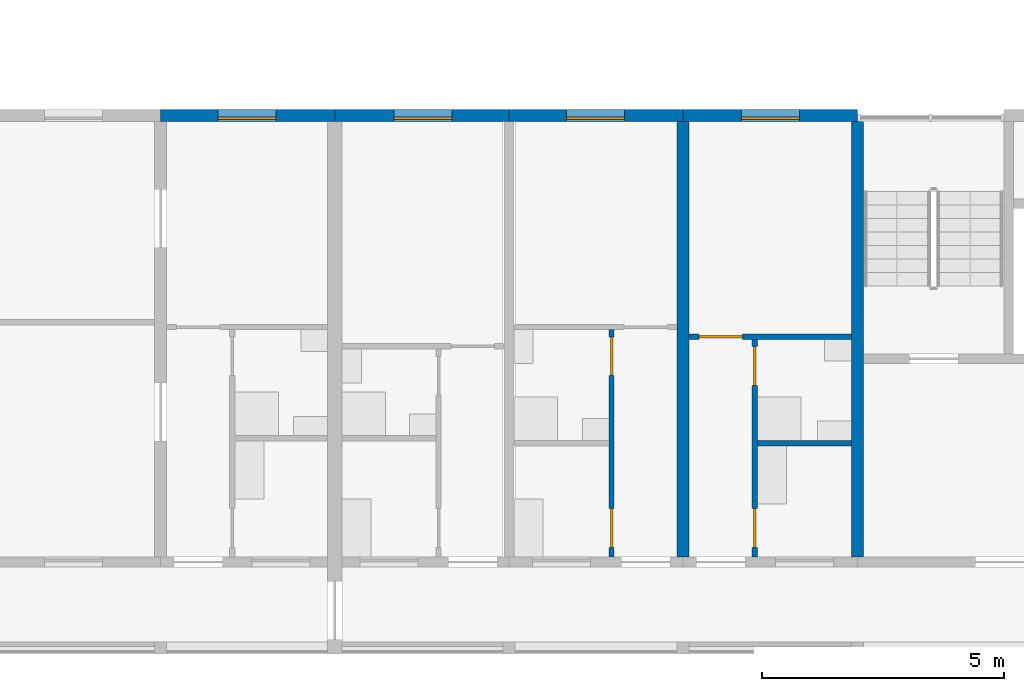
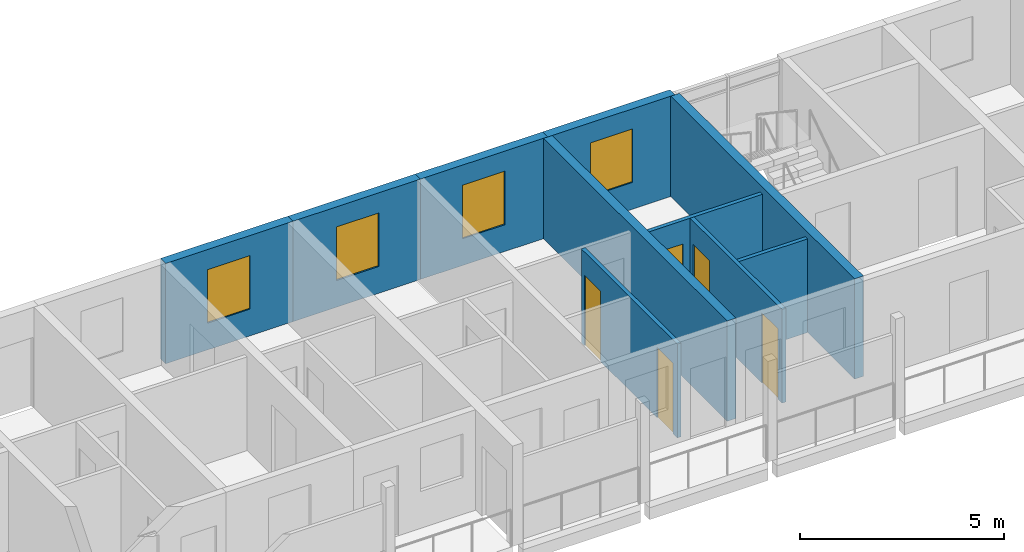
# One storey, part 34 of 100: 10 walls, 5 doors, 4 windows, 9 openings.
"""IFC4 building model written with IfcOpenShell, lengths in metres."""

from ifc_helpers import new_model, si_unit, direction, frame, frame_2d, origin, place, context, subcontext, project, spatial, rectangle, extrude, material, layer, layer_set, type_object, element, fill, save


model = new_model("IFC4")

# Units and contexts
model_context = context("Model", 3, precision=1e-05, world=origin(), true_north=direction((0.0, 1.0)))
body_context = subcontext(model_context, "Body", "Model", "MODEL_VIEW")
ifc_project = project(units=[si_unit("LENGTHUNIT", "METRE"), si_unit("AREAUNIT", "SQUARE_METRE"), si_unit("VOLUMEUNIT", "CUBIC_METRE"), si_unit("PLANEANGLEUNIT", "RADIAN"), si_unit("MASSUNIT", "GRAM", prefix="KILO")], contexts=[model_context])

# Site, building, storey
site_placement = place(None, origin())
site = spatial("IfcSite", under=ifc_project, at=site_placement, CompositionType="ELEMENT")
building_placement = place(site_placement, origin())
building = spatial("IfcBuilding", under=site, at=building_placement, Name="Ridgestep Commons", CompositionType="ELEMENT")
storey_placement = place(building_placement, frame((0.0, 0.0, 9.0)))
storey = spatial("IfcBuildingStorey", under=building, at=storey_placement, Name="L03", CompositionType="ELEMENT", Elevation=9.0)

# Walls
ifc_material_1 = material(Name="Concrete C30/37", Category="concrete")
ifc_layer_1 = layer(ifc_material_1, 0.25)
ifc_layer_set_1 = layer_set([ifc_layer_1], Name="Core cross wall 250")
wall_type_1 = type_object("IfcWallType", Name="Core cross wall 250", PredefinedType="SHEAR", material=ifc_layer_set_1)
wall_1_placement = place(storey_placement, frame((73.199951171875, 13.75, 0.0), z_axis=(0.0, 0.0, 1.0), x_axis=(0.0, 1.0, 0.0)))
element("IfcWall", 1, at=wall_1_placement, inside=storey, type_object=wall_type_1, Name="Cross wall A-03-0732", PredefinedType="SHEAR", context=body_context, shape_type="SweptSolid", body=[
    extrude(rectangle(XDim=9.0, YDim=0.25, at=frame_2d((4.5, 0.0))), origin(), (0.0, 0.0, 1.0), 3.0),
])
ifc_material_2 = material(Name="Precast concrete C40/50", Category="concrete")
ifc_layer_2 = layer(ifc_material_2, 0.25)
ifc_layer_set_2 = layer_set([ifc_layer_2], Name="Cross wall 250")
wall_type_2 = type_object("IfcWallType", Name="Cross wall 250", PredefinedType="SHEAR", material=ifc_layer_set_2)
wall_2_placement = place(storey_placement, frame((69.60009765625, 13.75, 0.0), z_axis=(0.0, 0.0, 1.0), x_axis=(0.0, 1.0, 0.0)))
element("IfcWall", 2, at=wall_2_placement, inside=storey, type_object=wall_type_2, Name="Cross wall A-03-0696", PredefinedType="SHEAR", context=body_context, shape_type="SweptSolid", body=[
    extrude(rectangle(XDim=9.0, YDim=0.25, at=frame_2d((4.5, 0.0))), origin(), (0.0, 0.0, 1.0), 3.0),
])

# Wall, opening, window
ifc_material_3 = material(Name="Precast concrete C40/50", Category="concrete")
ifc_layer_3 = layer(ifc_material_3, 0.25)
ifc_layer_set_3 = layer_set([ifc_layer_3], Name="North facade panel 250")
wall_type_3 = type_object("IfcWallType", Name="North facade panel 250", PredefinedType="SOLIDWALL", material=ifc_layer_set_3)
wall_3_placement = place(storey_placement, frame((58.800048828125, 22.875, 0.0), z_axis=(0.0, 0.0, 1.0), x_axis=(1.0, 0.0, 0.0)))
wall_3 = element("IfcWall", 3, at=wall_3_placement, inside=storey, type_object=wall_type_3, Name="North panel A3T1 L03", PredefinedType="SOLIDWALL", context=body_context, shape_type="SweptSolid", body=[
    extrude(rectangle(XDim=3.599853515625, YDim=0.25, at=frame_2d((1.7998046875, 0.0))), origin(), (0.0, 0.0, 1.0), 3.0),
])
opening_1_placement = place(wall_3_placement, frame((1.1875, 0.0, 0.800048828125)))
opening_1 = element("IfcOpeningElement", 4, at=opening_1_placement, cuts=wall_3, Name="Opening W11", PredefinedType="OPENING", context=body_context, shape_type="SweptSolid", body=[
    extrude(rectangle(XDim=1.199951171875, YDim=1.60009765625, at=frame_2d((0.60009765625, 0.800048828125))), frame((0.0, 0.135009765625, 0.0), z_axis=(0.0, -1.0, 0.0), x_axis=(1.0, 0.0, 0.0)), (0.0, 0.0, 1.0), 0.27001953125),
])
ifc_material_4 = material(Name="Aluminium 6063-T6 and glass", Category="aluminium")
window_type = type_object("IfcWindowType", Name="Flat window 1200 x 1600", PartitioningType="SINGLE_PANEL", PredefinedType="WINDOW", material=ifc_material_4)
window_1_placement = place(opening_1_placement, origin())
window_1 = element("IfcWindow", 5, at=window_1_placement, inside=storey, type_object=window_type, Name="Window A3-03a 4", OverallHeight=1.60009765625, OverallWidth=1.199951171875, PartitioningType="SINGLE_PANEL", PredefinedType="WINDOW", context=body_context, shape_type="SweptSolid", body=[
    extrude(rectangle(XDim=1.199951171875, YDim=1.60009765625, at=frame_2d((0.60009765625, 0.800048828125))), frame((0.0, -0.02490234375, 0.0), z_axis=(0.0, -1.0, 0.0), x_axis=(1.0, 0.0, 0.0)), (0.0, 0.0, 1.0), 0.06005859375),
])
fill(opening_1, window_1)

wall_4_placement = place(storey_placement, frame((62.39990234375, 22.875, 0.0), z_axis=(0.0, 0.0, 1.0), x_axis=(1.0, 0.0, 0.0)))
wall_4 = element("IfcWall", 6, at=wall_4_placement, inside=storey, type_object=wall_type_3, Name="North panel A4T1 L03", PredefinedType="SOLIDWALL", context=body_context, shape_type="SweptSolid", body=[
    extrude(rectangle(XDim=3.60009765625, YDim=0.25, at=frame_2d((1.800048828125, 0.0))), origin(), (0.0, 0.0, 1.0), 3.0),
])
opening_2_placement = place(wall_4_placement, frame((1.22509765625, 0.0, 0.800048828125)))
opening_2 = element("IfcOpeningElement", 7, at=opening_2_placement, cuts=wall_4, Name="Opening W11", PredefinedType="OPENING", context=body_context, shape_type="SweptSolid", body=[
    extrude(rectangle(XDim=1.199951171875, YDim=1.60009765625, at=frame_2d((0.60009765625, 0.800048828125))), frame((0.0, 0.135009765625, 0.0), z_axis=(0.0, -1.0, 0.0), x_axis=(1.0, 0.0, 0.0)), (0.0, 0.0, 1.0), 0.27001953125),
])
window_2_placement = place(opening_2_placement, origin())
window_2 = element("IfcWindow", 8, at=window_2_placement, inside=storey, type_object=window_type, Name="Window A4-03a 2", OverallHeight=1.60009765625, OverallWidth=1.199951171875, PartitioningType="SINGLE_PANEL", PredefinedType="WINDOW", context=body_context, shape_type="SweptSolid", body=[
    extrude(rectangle(XDim=1.199951171875, YDim=1.60009765625, at=frame_2d((0.60009765625, 0.800048828125))), frame((0.0, -0.02490234375, 0.0), z_axis=(0.0, -1.0, 0.0), x_axis=(1.0, 0.0, 0.0)), (0.0, 0.0, 1.0), 0.06005859375),
])
fill(opening_2, window_2)

wall_5_placement = place(storey_placement, frame((66.0, 22.875, 0.0), z_axis=(0.0, 0.0, 1.0), x_axis=(1.0, 0.0, 0.0)))
wall_5 = element("IfcWall", 9, at=wall_5_placement, inside=storey, type_object=wall_type_3, Name="North panel A4T2 L03", PredefinedType="SOLIDWALL", context=body_context, shape_type="SweptSolid", body=[
    extrude(rectangle(XDim=3.60009765625, YDim=0.25, at=frame_2d((1.800048828125, 0.0))), origin(), (0.0, 0.0, 1.0), 3.0),
])
opening_3_placement = place(wall_5_placement, frame((1.1875, 0.0, 0.800048828125)))
opening_3 = element("IfcOpeningElement", 10, at=opening_3_placement, cuts=wall_5, Name="Opening W11", PredefinedType="OPENING", context=body_context, shape_type="SweptSolid", body=[
    extrude(rectangle(XDim=1.199951171875, YDim=1.60009765625, at=frame_2d((0.60009765625, 0.800048828125))), frame((0.0, 0.135009765625, 0.0), z_axis=(0.0, -1.0, 0.0), x_axis=(1.0, 0.0, 0.0)), (0.0, 0.0, 1.0), 0.27001953125),
])
window_3_placement = place(opening_3_placement, origin())
window_3 = element("IfcWindow", 11, at=window_3_placement, inside=storey, type_object=window_type, Name="Window A4-03b 2", OverallHeight=1.60009765625, OverallWidth=1.199951171875, PartitioningType="SINGLE_PANEL", PredefinedType="WINDOW", context=body_context, shape_type="SweptSolid", body=[
    extrude(rectangle(XDim=1.199951171875, YDim=1.60009765625, at=frame_2d((0.60009765625, 0.800048828125))), frame((0.0, -0.02490234375, 0.0), z_axis=(0.0, -1.0, 0.0), x_axis=(1.0, 0.0, 0.0)), (0.0, 0.0, 1.0), 0.06005859375),
])
fill(opening_3, window_3)

wall_6_placement = place(storey_placement, frame((69.60009765625, 22.875, 0.0), z_axis=(0.0, 0.0, 1.0), x_axis=(1.0, 0.0, 0.0)))
wall_6 = element("IfcWall", 12, at=wall_6_placement, inside=storey, type_object=wall_type_3, Name="North panel A4T3 L03", PredefinedType="SOLIDWALL", context=body_context, shape_type="SweptSolid", body=[
    extrude(rectangle(XDim=3.599853515625, YDim=0.25, at=frame_2d((1.7998046875, 0.0))), origin(), (0.0, 0.0, 1.0), 3.0),
])
opening_4_placement = place(wall_6_placement, frame((1.199951171875, 0.0, 0.800048828125)))
opening_4 = element("IfcOpeningElement", 13, at=opening_4_placement, cuts=wall_6, Name="Opening W11", PredefinedType="OPENING", context=body_context, shape_type="SweptSolid", body=[
    extrude(rectangle(XDim=1.199951171875, YDim=1.60009765625, at=frame_2d((0.60009765625, 0.800048828125))), frame((0.0, 0.135009765625, 0.0), z_axis=(0.0, -1.0, 0.0), x_axis=(1.0, 0.0, 0.0)), (0.0, 0.0, 1.0), 0.27001953125),
])
window_4_placement = place(opening_4_placement, origin())
window_4 = element("IfcWindow", 14, at=window_4_placement, inside=storey, type_object=window_type, Name="Window A4-03c 2", OverallHeight=1.60009765625, OverallWidth=1.199951171875, PartitioningType="SINGLE_PANEL", PredefinedType="WINDOW", context=body_context, shape_type="SweptSolid", body=[
    extrude(rectangle(XDim=1.199951171875, YDim=1.60009765625, at=frame_2d((0.60009765625, 0.800048828125))), frame((0.0, -0.02490234375, 0.0), z_axis=(0.0, -1.0, 0.0), x_axis=(1.0, 0.0, 0.0)), (0.0, 0.0, 1.0), 0.06005859375),
])
fill(opening_4, window_4)

# Wall, openings, doors
ifc_material_5 = material(Name="Common brick 110 mm", Category="masonry")
ifc_layer_4 = layer(ifc_material_5, 0.110107421875)
ifc_layer_set_4 = layer_set([ifc_layer_4], Name="Partition 110")
wall_type_4 = type_object("IfcWallType", Name="Partition 110", PredefinedType="PARTITIONING", material=ifc_layer_set_4)
wall_7_placement = place(storey_placement, frame((68.1201171875, 13.75, 0.0), z_axis=(0.0, 0.0, 1.0), x_axis=(0.0, 1.0, 0.0)))
wall_7 = element("IfcWall", 15, at=wall_7_placement, inside=storey, type_object=wall_type_4, Name="Partition A4-03b", PredefinedType="PARTITIONING", context=body_context, shape_type="SweptSolid", body=[
    extrude(rectangle(XDim=4.699951171875, YDim=0.110107421875, at=frame_2d((2.35009765625, 0.0))), origin(), (0.0, 0.0, 1.0), 2.800048828125),
])
opening_5_placement = place(wall_7_placement, frame((0.199951171875, 0.0, 0.0)))
opening_5 = element("IfcOpeningElement", 16, at=opening_5_placement, cuts=wall_7, Name="Opening A4-03b/2", PredefinedType="OPENING", context=body_context, shape_type="SweptSolid", body=[
    extrude(rectangle(XDim=0.800048828125, YDim=2.10009765625, at=frame_2d((0.39990234375, 1.050048828125))), frame((0.0, 0.06494140625, 0.0), z_axis=(0.0, -1.0, 0.0), x_axis=(1.0, 0.0, 0.0)), (0.0, 0.0, 1.0), 0.130126953125),
])
opening_6_placement = place(wall_7_placement, frame((3.75, 0.0, 0.0)))
opening_6 = element("IfcOpeningElement", 17, at=opening_6_placement, cuts=wall_7, Name="Opening A4-03b/3", PredefinedType="OPENING", context=body_context, shape_type="SweptSolid", body=[
    extrude(rectangle(XDim=0.800048828125, YDim=2.10009765625, at=frame_2d((0.39990234375, 1.050048828125))), frame((0.0, 0.06494140625, 0.0), z_axis=(0.0, -1.0, 0.0), x_axis=(1.0, 0.0, 0.0)), (0.0, 0.0, 1.0), 0.130126953125),
])
ifc_material_6 = material(Name="Timber door leaf", Category="wood")
door_type_1 = type_object("IfcDoorType", Name="Internal door 800 x 2100", OperationType="NOTDEFINED", PredefinedType="DOOR", material=ifc_material_6)
door_1_placement = place(opening_5_placement, origin())
door_1 = element("IfcDoor", 18, at=door_1_placement, inside=storey, type_object=door_type_1, Name="Internal door A4-03b/2", OperationType="SINGLE_SWING_LEFT", OverallHeight=2.10009765625, OverallWidth=0.800048828125, PredefinedType="DOOR", context=body_context, shape_type="SweptSolid", body=[
    extrude(rectangle(XDim=0.800048828125, YDim=2.10009765625, at=frame_2d((0.39990234375, 1.050048828125))), frame((0.0, 0.02490234375, 0.0), z_axis=(0.0, -1.0, 0.0), x_axis=(1.0, 0.0, 0.0)), (0.0, 0.0, 1.0), 0.050048828125),
])
fill(opening_5, door_1)
door_2_placement = place(opening_6_placement, origin())
door_2 = element("IfcDoor", 19, at=door_2_placement, inside=storey, type_object=door_type_1, Name="Internal door A4-03b/3", OperationType="SINGLE_SWING_RIGHT", OverallHeight=2.10009765625, OverallWidth=0.800048828125, PredefinedType="DOOR", context=body_context, shape_type="SweptSolid", body=[
    extrude(rectangle(XDim=0.800048828125, YDim=2.10009765625, at=frame_2d((0.39990234375, 1.050048828125))), frame((0.0, 0.02490234375, 0.0), z_axis=(0.0, -1.0, 0.0), x_axis=(1.0, 0.0, 0.0)), (0.0, 0.0, 1.0), 0.050048828125),
])
fill(opening_6, door_2)

wall_8_placement = place(storey_placement, frame((71.080078125, 13.75, 0.0), z_axis=(0.0, 0.0, 1.0), x_axis=(0.0, 1.0, 0.0)))
wall_8 = element("IfcWall", 20, at=wall_8_placement, inside=storey, type_object=wall_type_4, Name="Partition A4-03c", PredefinedType="PARTITIONING", context=body_context, shape_type="SweptSolid", body=[
    extrude(rectangle(XDim=4.5, YDim=0.110107421875, at=frame_2d((2.25, 0.0))), origin(), (0.0, 0.0, 1.0), 2.800048828125),
])
opening_7_placement = place(wall_8_placement, frame((0.199951171875, 0.0, 0.0)))
opening_7 = element("IfcOpeningElement", 21, at=opening_7_placement, cuts=wall_8, Name="Opening A4-03c/2", PredefinedType="OPENING", context=body_context, shape_type="SweptSolid", body=[
    extrude(rectangle(XDim=0.800048828125, YDim=2.10009765625, at=frame_2d((0.39990234375, 1.050048828125))), frame((0.0, 0.06494140625, 0.0), z_axis=(0.0, -1.0, 0.0), x_axis=(1.0, 0.0, 0.0)), (0.0, 0.0, 1.0), 0.130126953125),
])
opening_8_placement = place(wall_8_placement, frame((3.550048828125, 0.0, 0.0)))
opening_8 = element("IfcOpeningElement", 22, at=opening_8_placement, cuts=wall_8, Name="Opening A4-03c/3", PredefinedType="OPENING", context=body_context, shape_type="SweptSolid", body=[
    extrude(rectangle(XDim=0.800048828125, YDim=2.10009765625, at=frame_2d((0.39990234375, 1.050048828125))), frame((0.0, 0.06494140625, 0.0), z_axis=(0.0, -1.0, 0.0), x_axis=(1.0, 0.0, 0.0)), (0.0, 0.0, 1.0), 0.130126953125),
])
door_3_placement = place(opening_7_placement, origin())
door_3 = element("IfcDoor", 23, at=door_3_placement, inside=storey, type_object=door_type_1, Name="Internal door A4-03c/2", OperationType="SINGLE_SWING_RIGHT", OverallHeight=2.10009765625, OverallWidth=0.800048828125, PredefinedType="DOOR", context=body_context, shape_type="SweptSolid", body=[
    extrude(rectangle(XDim=0.800048828125, YDim=2.10009765625, at=frame_2d((0.39990234375, 1.050048828125))), frame((0.0, 0.02490234375, 0.0), z_axis=(0.0, -1.0, 0.0), x_axis=(1.0, 0.0, 0.0)), (0.0, 0.0, 1.0), 0.050048828125),
])
fill(opening_7, door_3)
door_4_placement = place(opening_8_placement, origin())
door_4 = element("IfcDoor", 24, at=door_4_placement, inside=storey, type_object=door_type_1, Name="Internal door A4-03c/3", OperationType="SINGLE_SWING_LEFT", OverallHeight=2.10009765625, OverallWidth=0.800048828125, PredefinedType="DOOR", context=body_context, shape_type="SweptSolid", body=[
    extrude(rectangle(XDim=0.800048828125, YDim=2.10009765625, at=frame_2d((0.39990234375, 1.050048828125))), frame((0.0, 0.02490234375, 0.0), z_axis=(0.0, -1.0, 0.0), x_axis=(1.0, 0.0, 0.0)), (0.0, 0.0, 1.0), 0.050048828125),
])
fill(opening_8, door_4)

# Wall
wall_9_placement = place(storey_placement, frame((71.135009765625, 16.10498046875, 0.0), z_axis=(0.0, 0.0, 1.0), x_axis=(1.0, 0.0, 0.0)))
element("IfcWall", 25, at=wall_9_placement, inside=storey, type_object=wall_type_4, Name="Partition A4-03c", PredefinedType="PARTITIONING", context=body_context, shape_type="SweptSolid", body=[
    extrude(rectangle(XDim=1.93994140625, YDim=0.110107421875, at=frame_2d((0.969970703125, 0.0))), origin(), (0.0, 0.0, 1.0), 2.800048828125),
])

# Wall, opening, door
wall_10_placement = place(storey_placement, frame((69.72509765625, 18.304931640625, 0.0), z_axis=(0.0, 0.0, 1.0), x_axis=(1.0, 0.0, 0.0)))
wall_10 = element("IfcWall", 26, at=wall_10_placement, inside=storey, type_object=wall_type_4, Name="Partition A4-03c", PredefinedType="PARTITIONING", context=body_context, shape_type="SweptSolid", body=[
    extrude(rectangle(XDim=3.349853515625, YDim=0.110107421875, at=frame_2d((1.6748046875, 0.0))), origin(), (0.0, 0.0, 1.0), 2.800048828125),
])
opening_9_placement = place(wall_10_placement, frame((0.199951171875, 0.0, 0.0)))
opening_9 = element("IfcOpeningElement", 27, at=opening_9_placement, cuts=wall_10, Name="Opening A4-03c/4", PredefinedType="OPENING", context=body_context, shape_type="SweptSolid", body=[
    extrude(rectangle(XDim=0.89990234375, YDim=2.10009765625, at=frame_2d((0.449951171875, 1.050048828125))), frame((0.0, 0.06494140625, 0.0), z_axis=(0.0, -1.0, 0.0), x_axis=(1.0, 0.0, 0.0)), (0.0, 0.0, 1.0), 0.130126953125),
])
ifc_material_7 = material(Name="Timber door leaf", Category="wood")
door_type_2 = type_object("IfcDoorType", Name="Internal door 900 x 2100", OperationType="NOTDEFINED", PredefinedType="DOOR", material=ifc_material_7)
door_5_placement = place(opening_9_placement, origin())
door_5 = element("IfcDoor", 28, at=door_5_placement, inside=storey, type_object=door_type_2, Name="Internal door A4-03c/4", OperationType="SINGLE_SWING_LEFT", OverallHeight=2.10009765625, OverallWidth=0.89990234375, PredefinedType="DOOR", context=body_context, shape_type="SweptSolid", body=[
    extrude(rectangle(XDim=0.89990234375, YDim=2.10009765625, at=frame_2d((0.449951171875, 1.050048828125))), frame((0.0, 0.02490234375, 0.0), z_axis=(0.0, -1.0, 0.0), x_axis=(1.0, 0.0, 0.0)), (0.0, 0.0, 1.0), 0.050048828125),
])
fill(opening_9, door_5)

save(model, "model.ifc")
